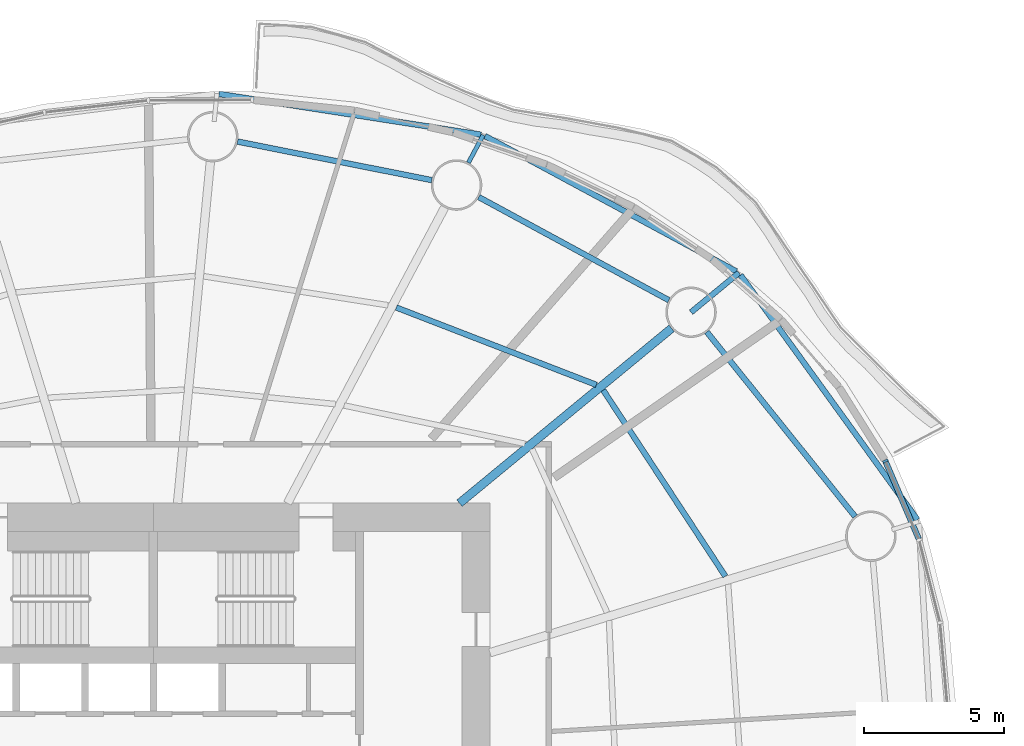
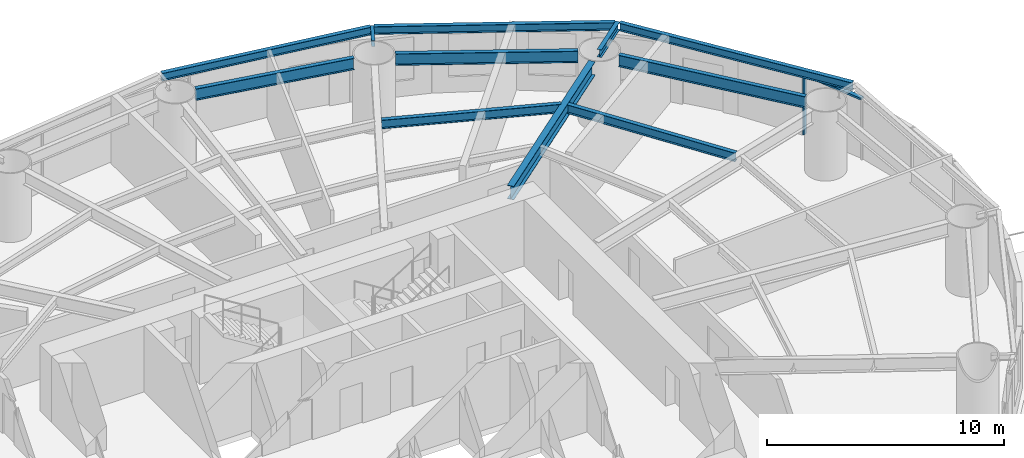
# One storey, part 6 of 16: 11 beams, 2 members, 1 element without a shape of its own.
"""IFC4 building model written with IfcOpenShell, lengths in metres."""

from ifc_helpers import new_model, si_unit, direction, frame, origin, origin_2d, place, context, subcontext, project, spatial, rectangle, i_section, extrude, material, material_profile, profile_set, type_object, element, aggregate, save


model = new_model("IFC4")

# Units and contexts
model_context = context("Model", 3, precision=1e-05, world=origin(), true_north=direction((0.0, 1.0)))
body_context = subcontext(model_context, "Body", "Model", "MODEL_VIEW")
ifc_project = project(units=[si_unit("LENGTHUNIT", "METRE"), si_unit("AREAUNIT", "SQUARE_METRE"), si_unit("VOLUMEUNIT", "CUBIC_METRE"), si_unit("PLANEANGLEUNIT", "RADIAN"), si_unit("MASSUNIT", "GRAM", prefix="KILO")], contexts=[model_context])

# Site, building, storey
site_placement = place(None, origin())
site = spatial("IfcSite", under=ifc_project, at=site_placement, CompositionType="ELEMENT")
building_placement = place(site_placement, origin())
building = spatial("IfcBuilding", under=site, at=building_placement, Name="Vermilion Reach Broadcast Tower", CompositionType="ELEMENT")
storey_placement = place(building_placement, frame((0.0, 0.0, 73.0)))
storey = spatial("IfcBuildingStorey", under=building, at=storey_placement, Name="L15", CompositionType="ELEMENT", Elevation=73.0)

# Beams
ifc_material_1 = material(Name="Steel S355J2", Category="steel")
ifc_material_profile_1 = material_profile(ifc_material_1, i_section(OverallWidth=0.199951171875, OverallDepth=0.39990234375, WebThickness=0.008056640625, FlangeThickness=0.012939453125, at=origin_2d()), Name="S355J2 HN 400x200x8x13")
ifc_profile_set_1 = profile_set([ifc_material_profile_1], Name="Steel S355J2")
beam_type_1 = type_object("IfcBeamType", Name="EB1 HN 400x200x8x13", PredefinedType="BEAM", material=ifc_profile_set_1)
beam_1_placement = place(storey_placement, frame((21.235595703125, 8.410400390625, 3.35009765625), z_axis=(-0.585928681738, 0.810362622483, 0.0), x_axis=(-0.810362622483, -0.585928681738, 0.0)))
element("IfcBeam", 1, at=beam_1_placement, inside=storey, type_object=beam_type_1, Name="Edge beam EB1-01", PredefinedType="BEAM", context=body_context, shape_type="SweptSolid", body=[
    extrude(i_section(OverallWidth=0.199951171875, OverallDepth=0.39990234375, WebThickness=0.008056640625, FlangeThickness=0.012939453125, at=origin_2d()), origin(), (0.0, 0.0, 1.0), 10.760498046875),
])
beam_2_placement = place(storey_placement, frame((14.77685546875, 17.262939453125, 3.35009765625), z_axis=(-0.880411739298, 0.474210047665, 0.0), x_axis=(-0.474210047665, -0.880411739298, 0.0)))
element("IfcBeam", 2, at=beam_2_placement, inside=storey, type_object=beam_type_1, Name="Edge beam EB1-02", PredefinedType="BEAM", context=body_context, shape_type="SweptSolid", body=[
    extrude(i_section(OverallWidth=0.199951171875, OverallDepth=0.39990234375, WebThickness=0.008056640625, FlangeThickness=0.012939453125, at=origin_2d()), origin(), (0.0, 0.0, 1.0), 10.170166015625),
])
beam_3_placement = place(storey_placement, frame((5.6787109375, 22.13330078125, 3.35009765625), z_axis=(-0.988099806687, 0.153814082663, 0.0), x_axis=(-0.153814082663, -0.988099806687, 0.0)))
element("IfcBeam", 3, at=beam_3_placement, inside=storey, type_object=beam_type_1, Name="Edge beam EB1-03", PredefinedType="BEAM", context=body_context, shape_type="SweptSolid", body=[
    extrude(i_section(OverallWidth=0.199951171875, OverallDepth=0.39990234375, WebThickness=0.008056640625, FlangeThickness=0.012939453125, at=origin_2d()), origin(), (0.0, 0.0, 1.0), 9.448974609375),
])
ifc_material_2 = material(Name="Steel S355J2", Category="steel")
ifc_material_profile_2 = material_profile(ifc_material_2, i_section(OverallWidth=0.300048828125, OverallDepth=0.699951171875, WebThickness=0.012939453125, FlangeThickness=0.02392578125, at=origin_2d()), Name="S355J2 HN 700x300x13x24")
ifc_profile_set_2 = profile_set([ifc_material_profile_2], Name="Steel S355J2")
beam_type_2 = type_object("IfcBeamType", Name="G1 HN 700x300x13x24", PredefinedType="BEAM", material=ifc_profile_set_2)
beam_4_placement = place(storey_placement, frame((4.9140625, 9.0, 3.199951171875), z_axis=(0.771514256373, 0.636212034005, 0.0), x_axis=(-0.636212034005, 0.771514256373, 0.0)))
element("IfcBeam", 4, at=beam_4_placement, inside=storey, type_object=beam_type_2, Name="Girder G1-02", PredefinedType="BEAM", context=body_context, shape_type="SweptSolid", body=[
    extrude(i_section(OverallWidth=0.300048828125, OverallDepth=0.699951171875, WebThickness=0.012939453125, FlangeThickness=0.02392578125, at=origin_2d()), origin(), (0.0, 0.0, 1.0), 9.796142578125),
])
ifc_material_3 = material(Name="Steel S355J2", Category="steel")
ifc_material_profile_3 = material_profile(ifc_material_3, i_section(OverallWidth=0.199951171875, OverallDepth=0.39990234375, WebThickness=0.008056640625, FlangeThickness=0.012939453125, at=origin_2d()), Name="S355J2 HN 400x200x8x13")
ifc_profile_set_3 = profile_set([ifc_material_profile_3], Name="Steel S355J2")
beam_type_3 = type_object("IfcBeamType", Name="GC1 HN 400x200x8x13", PredefinedType="BEAM", material=ifc_profile_set_3)
beam_5_placement = place(storey_placement, frame((13.166259765625, 15.804931640625, 3.35009765625), z_axis=(0.771451874257, 0.636287675274, 0.0), x_axis=(-0.636287675274, 0.771451874257, 0.0)))
element("IfcBeam", 5, at=beam_5_placement, inside=storey, type_object=beam_type_3, Name="Cantilever girder GC1-02", PredefinedType="BEAM", context=body_context, shape_type="SweptSolid", body=[
    extrude(i_section(OverallWidth=0.199951171875, OverallDepth=0.39990234375, WebThickness=0.008056640625, FlangeThickness=0.012939453125, at=origin_2d()), origin(), (0.0, 0.0, 1.0), 2.2109375),
])
ifc_material_4 = material(Name="Steel S355J2", Category="steel")
ifc_material_profile_4 = material_profile(ifc_material_4, i_section(OverallWidth=0.14990234375, OverallDepth=0.300048828125, WebThickness=0.006591796875, FlangeThickness=0.009033203125, at=origin_2d()), Name="S355J2 HN 300x150x6.5x9")
ifc_profile_set_4 = profile_set([ifc_material_profile_4], Name="Steel S355J2")
beam_type_4 = type_object("IfcBeamType", Name="GS1 HN 300x150x6.5x9", PredefinedType="BEAM", material=ifc_profile_set_4)
beam_6_placement = place(storey_placement, frame((5.232177734375, 21.1337890625, 3.39990234375), z_axis=(0.469431911588, 0.882968674633, 0.0), x_axis=(-0.882968674633, 0.469431911588, 0.0)))
element("IfcBeam", 6, at=beam_6_placement, inside=storey, type_object=beam_type_4, Name="Cantilever stub GS1-03", PredefinedType="BEAM", context=body_context, shape_type="SweptSolid", body=[
    extrude(i_section(OverallWidth=0.14990234375, OverallDepth=0.300048828125, WebThickness=0.006591796875, FlangeThickness=0.009033203125, at=origin_2d()), origin(), (0.0, 0.0, 1.0), 1.1181640625),
])
ifc_material_5 = material(Name="Steel S355J2", Category="steel")
ifc_material_profile_5 = material_profile(ifc_material_5, i_section(OverallWidth=0.199951171875, OverallDepth=0.60009765625, WebThickness=0.010986328125, FlangeThickness=0.01708984375, at=origin_2d()), Name="S355J2 HN 600x200x11x17")
ifc_profile_set_5 = profile_set([ifc_material_profile_5], Name="Steel S355J2")
beam_type_5 = type_object("IfcBeamType", Name="RB1 HN 600x200x11x17", PredefinedType="BEAM", material=ifc_profile_set_5)
beam_7_placement = place(storey_placement, frame((19.011962890625, 8.52587890625, 3.25), z_axis=(-0.626162157191, 0.779692858055, 0.0), x_axis=(-0.779692858055, -0.626162157191, 0.0)))
element("IfcBeam", 7, at=beam_7_placement, inside=storey, type_object=beam_type_5, Name="Ring beam RB1-01", PredefinedType="BEAM", context=body_context, shape_type="SweptSolid", body=[
    extrude(i_section(OverallWidth=0.199951171875, OverallDepth=0.60009765625, WebThickness=0.010986328125, FlangeThickness=0.01708984375, at=origin_2d()), origin(), (0.0, 0.0, 1.0), 8.435791015625),
])
beam_8_placement = place(storey_placement, frame((12.375244140625, 16.234130859375, 3.25), z_axis=(-0.878962319551, 0.476891225344, 0.0), x_axis=(-0.476891225344, -0.878962319551, 0.0)))
element("IfcBeam", 8, at=beam_8_placement, inside=storey, type_object=beam_type_5, Name="Ring beam RB1-02", PredefinedType="BEAM", context=body_context, shape_type="SweptSolid", body=[
    extrude(i_section(OverallWidth=0.199951171875, OverallDepth=0.60009765625, WebThickness=0.010986328125, FlangeThickness=0.01708984375, at=origin_2d()), origin(), (0.0, 0.0, 1.0), 7.707275390625),
])
beam_9_placement = place(storey_placement, frame((3.927001953125, 20.51416015625, 3.25), z_axis=(-0.980857717995, 0.194725799651, 0.0), x_axis=(-0.194725799651, -0.980857717995, 0.0)))
element("IfcBeam", 9, at=beam_9_placement, inside=storey, type_object=beam_type_5, Name="Ring beam RB1-03", PredefinedType="BEAM", context=body_context, shape_type="SweptSolid", body=[
    extrude(i_section(OverallWidth=0.199951171875, OverallDepth=0.60009765625, WebThickness=0.010986328125, FlangeThickness=0.01708984375, at=origin_2d()), origin(), (0.0, 0.0, 1.0), 7.05859375),
])
ifc_material_6 = material(Name="Steel S355J2", Category="steel")
ifc_material_profile_6 = material_profile(ifc_material_6, i_section(OverallWidth=0.199951171875, OverallDepth=0.449951171875, WebThickness=0.009033203125, FlangeThickness=0.013916015625, at=origin_2d()), Name="S355J2 HN 450x200x9x14")
ifc_profile_set_6 = profile_set([ifc_material_profile_6], Name="Steel S355J2")
beam_type_6 = type_object("IfcBeamType", Name="SB1 HN 450x200x9x14", PredefinedType="BEAM", material=ifc_profile_set_6)
beam_10_placement = place(storey_placement, frame((14.390625, 6.394775390625, 3.324951171875), z_axis=(-0.548800909102, 0.835953086105, 0.0), x_axis=(-0.835953086105, -0.548800909102, 0.0)))
element("IfcBeam", 10, at=beam_10_placement, inside=storey, type_object=beam_type_6, Name="Secondary beam SB1-01-2", PredefinedType="BEAM", context=body_context, shape_type="SweptSolid", body=[
    extrude(i_section(OverallWidth=0.199951171875, OverallDepth=0.449951171875, WebThickness=0.009033203125, FlangeThickness=0.013916015625, at=origin_2d()), origin(), (0.0, 0.0, 1.0), 7.935791015625),
])
beam_11_placement = place(storey_placement, frame((9.7919921875, 13.217041015625, 3.324951171875), z_axis=(-0.932680743753, 0.360702966765, 0.0), x_axis=(-0.360702966765, -0.932680743753, 0.0)))
element("IfcBeam", 11, at=beam_11_placement, inside=storey, type_object=beam_type_6, Name="Secondary beam SB1-02-2", PredefinedType="BEAM", context=body_context, shape_type="SweptSolid", body=[
    extrude(i_section(OverallWidth=0.199951171875, OverallDepth=0.449951171875, WebThickness=0.009033203125, FlangeThickness=0.013916015625, at=origin_2d()), origin(), (0.0, 0.0, 1.0), 7.646240234375),
])

# Curtain wall, members
ifc_material_7 = material(Name="Low-e laminated clear glass in aluminium frame", Category="aluminium")
curtain_wall_type = type_object("IfcCurtainWallType", Name="Slot curtain wall", PredefinedType="NOTDEFINED", material=ifc_material_7)
curtain_wall_placement = place(storey_placement, origin())
curtain_wall = element("IfcCurtainWall", 12, at=curtain_wall_placement, inside=storey, type_object=curtain_wall_type, Name="Slot curtain wall L15 01", PredefinedType="NOTDEFINED")
ifc_material_8 = material(Name="Anodised aluminium", Category="aluminium")
ifc_material_profile_7 = material_profile(ifc_material_8, rectangle(XDim=0.199951171875, YDim=0.080078125, at=origin_2d()), Name="Slot mullion 80 x 200")
ifc_profile_set_7 = profile_set([ifc_material_profile_7], Name="Anodised aluminium")
member_type_1 = type_object("IfcMemberType", Name="Slot mullion 80 x 200", PredefinedType="MULLION", material=ifc_profile_set_7)
member_1_placement = place(storey_placement, frame((20.091796875, 10.5009765625, 0.0), z_axis=(0.0, 0.0, 1.0), x_axis=(-0.885609119893, -0.464431358504, 0.0)))
member_1 = element("IfcMember", 13, at=member_1_placement, type_object=member_type_1, Name="Slot mullion L15 02", PredefinedType="MULLION", context=body_context, shape_type="SweptSolid", body=[
    extrude(rectangle(XDim=0.199951171875, YDim=0.080078125, at=origin_2d()), origin(), (0.0, 0.0, 1.0), 3.14990234375),
])
ifc_material_9 = material(Name="Anodised aluminium", Category="aluminium")
ifc_material_profile_8 = material_profile(ifc_material_9, rectangle(XDim=0.199951171875, YDim=0.10009765625, at=origin_2d()), Name="Slot transom 200 x 100")
ifc_profile_set_8 = profile_set([ifc_material_profile_8], Name="Anodised aluminium")
member_type_2 = type_object("IfcMemberType", Name="Slot transom 200 x 100", PredefinedType="USERDEFINED", material=ifc_profile_set_8)
member_2_placement = place(storey_placement, frame((21.28466796875, 7.723876953125, 3.10009765625), z_axis=(-0.394660169321, 0.918827160434, 0.0), x_axis=(-0.918827160434, -0.394660169321, 0.0)))
member_2 = element("IfcMember", 14, at=member_2_placement, type_object=member_type_2, Name="Slot transom L15 01.1", ObjectType="TRANSOM", PredefinedType="USERDEFINED", context=body_context, shape_type="SweptSolid", body=[
    extrude(rectangle(XDim=0.199951171875, YDim=0.10009765625, at=origin_2d()), origin(), (0.0, 0.0, 1.0), 2.982421875),
])
aggregate(curtain_wall, [member_1, member_2])

save(model, "model.ifc")
